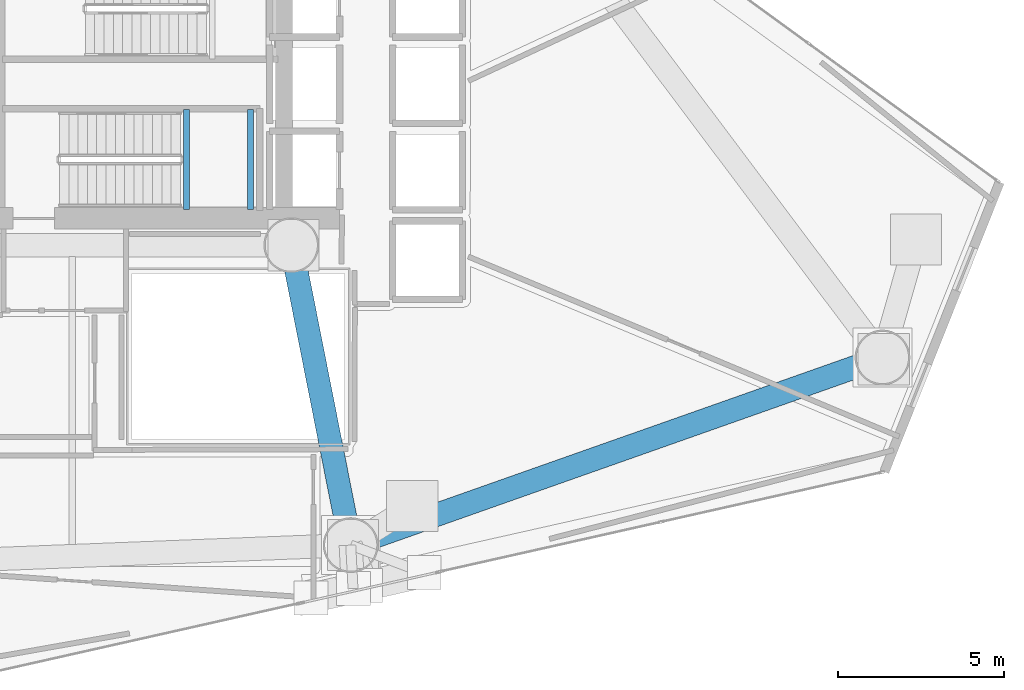
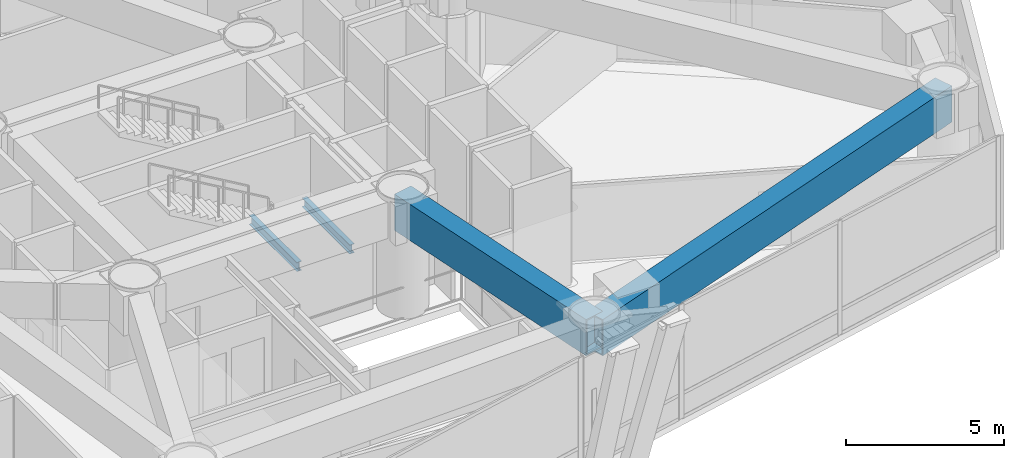
# One storey, part 5 of 22: 4 beams.
"""IFC4 building model written with IfcOpenShell, lengths in metres."""

from ifc_helpers import new_model, si_unit, direction, frame, origin, origin_2d, place, context, subcontext, project, spatial, hollow_rectangle, i_section, extrude, material, material_profile, profile_set, type_object, element, save


model = new_model("IFC4")

# Units and contexts
model_context = context("Model", 3, precision=1e-05, world=origin(), true_north=direction((0.0, 1.0)))
body_context = subcontext(model_context, "Body", "Model", "MODEL_VIEW")
ifc_project = project(units=[si_unit("LENGTHUNIT", "METRE"), si_unit("AREAUNIT", "SQUARE_METRE"), si_unit("VOLUMEUNIT", "CUBIC_METRE"), si_unit("PLANEANGLEUNIT", "RADIAN"), si_unit("MASSUNIT", "GRAM", prefix="KILO")], contexts=[model_context])

# Site, building, storey
site_placement = place(None, origin())
site = spatial("IfcSite", under=ifc_project, at=site_placement, CompositionType="ELEMENT")
building_placement = place(site_placement, origin())
building = spatial("IfcBuilding", under=site, at=building_placement, Name="Qianvela Tower", CompositionType="ELEMENT")
storey_placement = place(building_placement, frame((0.0, 0.0, 93.199951171875)))
storey = spatial("IfcBuildingStorey", under=building, at=storey_placement, Name="L23", CompositionType="ELEMENT", Elevation=93.199951171875)

# Beams
ifc_material_1 = material(Name="Steel Q355B", Category="steel")
ifc_material_profile_1 = material_profile(ifc_material_1, i_section(OverallWidth=0.175048828125, OverallDepth=0.35009765625, WebThickness=0.007080078125, FlangeThickness=0.010986328125, at=origin_2d()), Name="HN350x175x7x11")
ifc_profile_set_1 = profile_set([ifc_material_profile_1], Name="Steel Q355B")
beam_type_1 = type_object("IfcBeamType", Name="BM-HN350-JOIST", PredefinedType="JOIST", material=ifc_profile_set_1)
for number, where, z_axis, x_axis, name in (
    (1, (35.239990234375, 24.919921875, 1.925048828125), (0.0, 1.0, 0.0), (-1.0, 0.0, 0.0), "L23 Stair ST-2 Landing Support Beam 1.1"),
    (2, (37.169921875, 24.919921875, 1.925048828125), (0.0, 1.0, 0.0), (-1.0, 0.0, 0.0), "L23 Stair ST-2 Landing Support Beam 1.2"),
):
    element("IfcBeam", number, at=place(storey_placement, frame(where, z_axis=z_axis, x_axis=x_axis)), inside=storey, type_object=beam_type_1, Name=name, PredefinedType="JOIST", context=body_context, shape_type="SweptSolid", body=[
        extrude(i_section(OverallWidth=0.175048828125, OverallDepth=0.35009765625, WebThickness=0.007080078125, FlangeThickness=0.010986328125, at=origin_2d()), origin(), (0.0, 0.0, 1.0), 3.02001953125),
    ])
ifc_material_2 = material(Name="Steel Q420GJC", Category="steel")
ifc_material_profile_2 = material_profile(ifc_material_2, hollow_rectangle(XDim=0.699951171875, YDim=1.39990234375, WallThickness=0.0400390625, at=origin_2d()), Name="TG-BOX-1400x700x40")
ifc_profile_set_2 = profile_set([ifc_material_profile_2], Name="Steel Q420GJC")
beam_type_2 = type_object("IfcBeamType", Name="BM-TG-RAD-1400", PredefinedType="BEAM", material=ifc_profile_set_2)
beam_1_placement = place(storey_placement, frame((40.18896484375, 14.819091796875, 3.718017578125), z_axis=(0.943021125648, 0.332732860687, 0.0), x_axis=(-0.332732860687, 0.943021125648, 0.0)))
element("IfcBeam", 3, at=beam_1_placement, inside=storey, type_object=beam_type_2, Name="L23 Perimeter Belt-Truss Top Ring Girder 6", PredefinedType="BEAM", context=body_context, shape_type="SweptSolid", body=[
    extrude(hollow_rectangle(XDim=0.699951171875, YDim=1.39990234375, WallThickness=0.0400390625, at=origin_2d()), origin(), (0.0, 0.0, 1.0), 16.977294921875),
])
beam_2_placement = place(storey_placement, frame((38.39990234375, 23.85009765625, 3.718017578125), z_axis=(0.194325825688, -0.980937038485, 0.0), x_axis=(0.980937038485, 0.194325825688, 0.0)))
element("IfcBeam", 4, at=beam_2_placement, inside=storey, type_object=beam_type_2, Name="L23 Radial Outrigger Top Transfer Girder 6", PredefinedType="BEAM", context=body_context, shape_type="SweptSolid", body=[
    extrude(hollow_rectangle(XDim=0.699951171875, YDim=1.39990234375, WallThickness=0.0400390625, at=origin_2d()), origin(), (0.0, 0.0, 1.0), 9.20654296875),
])

save(model, "model.ifc")
